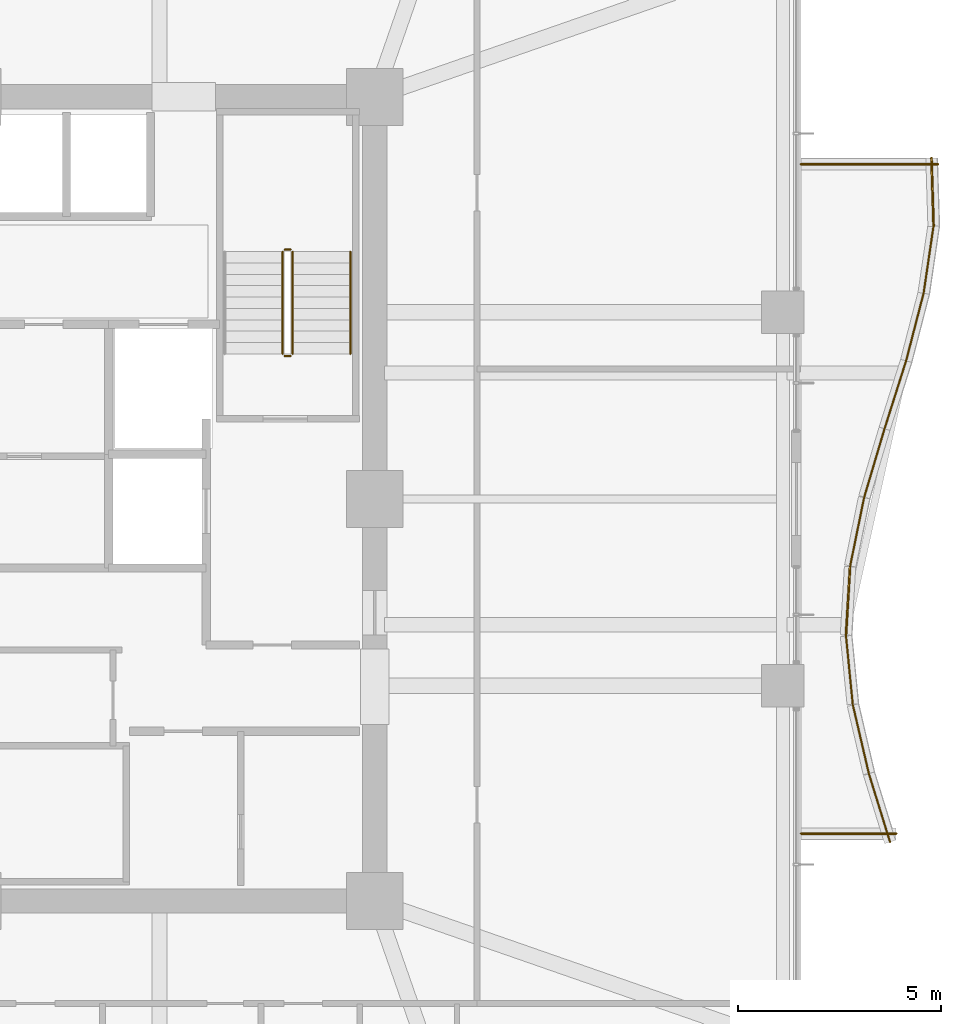
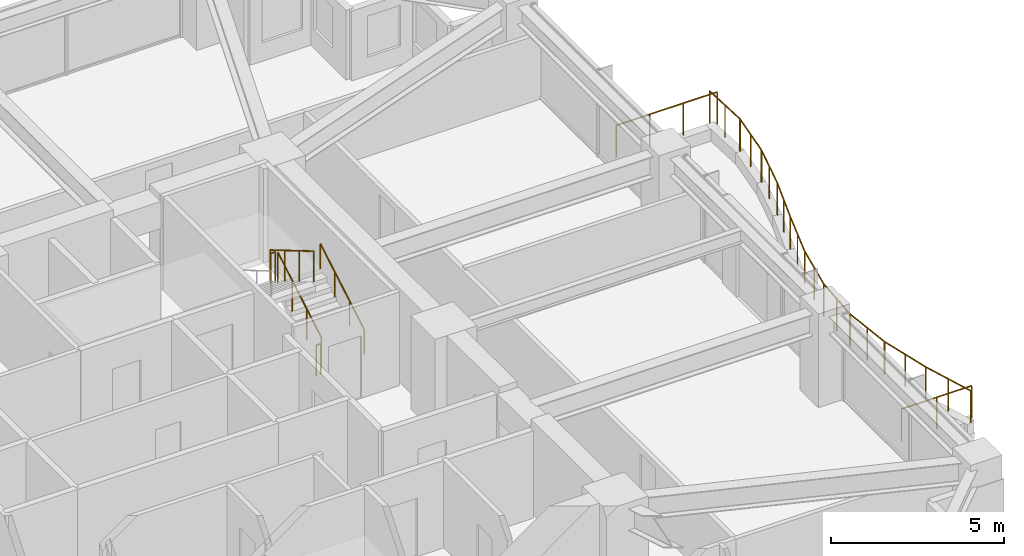
# One storey, part 36 of 36: 17 railings.
"""IFC4 building model written with IfcOpenShell, lengths in metres."""

from ifc_helpers import new_model, si_unit, direction, frame, origin, origin_2d, place, context, subcontext, project, spatial, circle, extrude, material, type_object, element, save


model = new_model("IFC4")

# Units and contexts
model_context = context("Model", 3, precision=1e-05, world=origin(), true_north=direction((0.0, 1.0)))
body_context = subcontext(model_context, "Body", "Model", "MODEL_VIEW")
ifc_project = project(units=[si_unit("LENGTHUNIT", "METRE"), si_unit("AREAUNIT", "SQUARE_METRE"), si_unit("VOLUMEUNIT", "CUBIC_METRE"), si_unit("PLANEANGLEUNIT", "RADIAN"), si_unit("MASSUNIT", "GRAM", prefix="KILO")], contexts=[model_context])

# Site, building, storey
site_placement = place(None, origin())
site = spatial("IfcSite", under=ifc_project, at=site_placement, CompositionType="ELEMENT")
building_placement = place(site_placement, origin())
building = spatial("IfcBuilding", under=site, at=building_placement, Name="Kolvaren Belvedere", CompositionType="ELEMENT")
storey_placement = place(building_placement, frame((0.0, 0.0, 92.0)))
storey = spatial("IfcBuildingStorey", under=building, at=storey_placement, Name="L26", CompositionType="ELEMENT", Elevation=92.0)

# Railings
ifc_material_1 = material(Name="Anodised pale-metal aluminium & laminated glass guard", Category="aluminium")
railing_type_1 = type_object("IfcRailingType", Name="RL-GUARD-1150", PredefinedType="GUARDRAIL", material=ifc_material_1)
railing_1_placement = place(storey_placement, frame((22.587158203125, -8.447265625, 0.3798828125)))
element("IfcRailing", 1, at=railing_1_placement, inside=storey, type_object=railing_type_1, Name="L26 Exterior Deck Safety Guard BAL-E-1", PredefinedType="GUARDRAIL", context=body_context, shape_type="SweptSolid", body=[
    extrude(circle(Radius=0.02392578125, at=origin_2d()), frame((0.0, 0.0, 1.1259765625), z_axis=(-0.295831524561, 0.95524013163, 0.0), x_axis=(-0.95524013163, -0.295831524561, 0.0)), (0.0, 0.0, 1.0), 1.758544921875),
    extrude(circle(Radius=0.02099609375, at=origin_2d()), origin(), (0.0, 0.0, 1.0), 1.101806640625),
    extrude(circle(Radius=0.02099609375, at=origin_2d()), frame((-0.26025390625, 0.83984375, 0.0)), (0.0, 0.0, 1.0), 1.101806640625),
    extrude(circle(Radius=0.02099609375, at=origin_2d()), frame((-0.520263671875, 1.679931640625, 0.0)), (0.0, 0.0, 1.0), 1.101806640625),
])
railing_2_placement = place(storey_placement, frame((22.06396484375, -6.75634765625, 0.3798828125)))
element("IfcRailing", 2, at=railing_2_placement, inside=storey, type_object=railing_type_1, Name="L26 Exterior Deck Safety Guard BAL-E-2", PredefinedType="GUARDRAIL", context=body_context, shape_type="SweptSolid", body=[
    extrude(circle(Radius=0.02392578125, at=origin_2d()), frame((0.0, 0.0, 1.1259765625), z_axis=(-0.227019323824, 0.973890253884, 0.0), x_axis=(-0.973890253884, -0.227019323824, 0.0)), (0.0, 0.0, 1.0), 1.724853515625),
    extrude(circle(Radius=0.02099609375, at=origin_2d()), origin(), (0.0, 0.0, 1.0), 1.101806640625),
    extrude(circle(Radius=0.02099609375, at=origin_2d()), frame((-0.19580078125, 0.83984375, 0.0)), (0.0, 0.0, 1.0), 1.101806640625),
    extrude(circle(Radius=0.02099609375, at=origin_2d()), frame((-0.3916015625, 1.679931640625, 0.0)), (0.0, 0.0, 1.0), 1.101806640625),
])
railing_3_placement = place(storey_placement, frame((21.6689453125, -5.0556640625, 0.3798828125)))
element("IfcRailing", 3, at=railing_3_placement, inside=storey, type_object=railing_type_1, Name="L26 Exterior Deck Safety Guard BAL-E-3", PredefinedType="GUARDRAIL", context=body_context, shape_type="SweptSolid", body=[
    extrude(circle(Radius=0.02392578125, at=origin_2d()), frame((0.0, 0.0, 1.1259765625), z_axis=(-0.098343801694, 0.995152499202, 0.0), x_axis=(-0.995152499202, -0.098343801694, 0.0)), (0.0, 0.0, 1.0), 1.688232421875),
    extrude(circle(Radius=0.02099609375, at=origin_2d()), origin(), (0.0, 0.0, 1.0), 1.101806640625),
    extrude(circle(Radius=0.02099609375, at=origin_2d()), frame((-0.0830078125, 0.83984375, 0.0)), (0.0, 0.0, 1.0), 1.101806640625),
    extrude(circle(Radius=0.02099609375, at=origin_2d()), frame((-0.166015625, 1.679931640625, 0.0)), (0.0, 0.0, 1.0), 1.101806640625),
])
railing_4_placement = place(storey_placement, frame((21.50244140625, -3.350341796875, 0.3798828125)))
element("IfcRailing", 4, at=railing_4_placement, inside=storey, type_object=railing_type_1, Name="L26 Exterior Deck Safety Guard BAL-E-4", PredefinedType="GUARDRAIL", context=body_context, shape_type="SweptSolid", body=[
    extrude(circle(Radius=0.02392578125, at=origin_2d()), frame((0.0, 0.0, 1.1259765625), z_axis=(0.059767979379, 0.998212296378, 0.0), x_axis=(-0.998212296378, 0.059767979379, 0.0)), (0.0, 0.0, 1.0), 1.682861328125),
    extrude(circle(Radius=0.02099609375, at=origin_2d()), origin(), (0.0, 0.0, 1.0), 1.101806640625),
    extrude(circle(Radius=0.02099609375, at=origin_2d()), frame((0.05029296875, 0.83984375, 0.0)), (0.0, 0.0, 1.0), 1.101806640625),
    extrude(circle(Radius=0.02099609375, at=origin_2d()), frame((0.1005859375, 1.679931640625, 0.0)), (0.0, 0.0, 1.0), 1.101806640625),
])
railing_5_placement = place(storey_placement, frame((21.60595703125, -1.64794921875, 0.3798828125)))
element("IfcRailing", 5, at=railing_5_placement, inside=storey, type_object=railing_type_1, Name="L26 Exterior Deck Safety Guard BAL-E-5", PredefinedType="GUARDRAIL", context=body_context, shape_type="SweptSolid", body=[
    extrude(circle(Radius=0.02392578125, at=origin_2d()), frame((0.0, 0.0, 1.1259765625), z_axis=(0.199784246163, 0.979839912937, 0.0), x_axis=(-0.979839912937, 0.199784246163, 0.0)), (0.0, 0.0, 1.0), 1.714599609375),
    extrude(circle(Radius=0.02099609375, at=origin_2d()), origin(), (0.0, 0.0, 1.0), 1.101806640625),
    extrude(circle(Radius=0.02099609375, at=origin_2d()), frame((0.17138671875, 0.83984375, 0.0)), (0.0, 0.0, 1.0), 1.101806640625),
    extrude(circle(Radius=0.02099609375, at=origin_2d()), frame((0.342529296875, 1.679931640625, 0.0)), (0.0, 0.0, 1.0), 1.101806640625),
])
railing_6_placement = place(storey_placement, frame((21.951904296875, 0.045654296875, 0.3798828125)))
element("IfcRailing", 6, at=railing_6_placement, inside=storey, type_object=railing_type_1, Name="L26 Exterior Deck Safety Guard BAL-E-6", PredefinedType="GUARDRAIL", context=body_context, shape_type="SweptSolid", body=[
    extrude(circle(Radius=0.02392578125, at=origin_2d()), frame((0.0, 0.0, 1.1259765625), z_axis=(0.284880325779, 0.95856309129, 0.0), x_axis=(-0.95856309129, 0.284880325779, 0.0)), (0.0, 0.0, 1.0), 1.75244140625),
    extrude(circle(Radius=0.02099609375, at=origin_2d()), origin(), (0.0, 0.0, 1.0), 1.101806640625),
    extrude(circle(Radius=0.02099609375, at=origin_2d()), frame((0.24951171875, 0.83984375, 0.0)), (0.0, 0.0, 1.0), 1.101806640625),
    extrude(circle(Radius=0.02099609375, at=origin_2d()), frame((0.499267578125, 1.679931640625, 0.0)), (0.0, 0.0, 1.0), 1.101806640625),
])
railing_7_placement = place(storey_placement, frame((22.4521484375, 1.728515625, 0.3798828125)))
element("IfcRailing", 7, at=railing_7_placement, inside=storey, type_object=railing_type_1, Name="L26 Exterior Deck Safety Guard BAL-E-7", PredefinedType="GUARDRAIL", context=body_context, shape_type="SweptSolid", body=[
    extrude(circle(Radius=0.02392578125, at=origin_2d()), frame((0.0, 0.0, 1.1259765625), z_axis=(0.302397356111, 0.953181954832, 0.0), x_axis=(-0.953181954832, 0.302397356111, 0.0)), (0.0, 0.0, 1.0), 1.762451171875),
    extrude(circle(Radius=0.02099609375, at=origin_2d()), origin(), (0.0, 0.0, 1.0), 1.101806640625),
    extrude(circle(Radius=0.02099609375, at=origin_2d()), frame((0.2666015625, 0.83984375, 0.0)), (0.0, 0.0, 1.0), 1.101806640625),
    extrude(circle(Radius=0.02099609375, at=origin_2d()), frame((0.532958984375, 1.679931640625, 0.0)), (0.0, 0.0, 1.0), 1.101806640625),
])
railing_8_placement = place(storey_placement, frame((22.982666015625, 3.400146484375, 0.3798828125)))
element("IfcRailing", 8, at=railing_8_placement, inside=storey, type_object=railing_type_1, Name="L26 Exterior Deck Safety Guard BAL-E-8", PredefinedType="GUARDRAIL", context=body_context, shape_type="SweptSolid", body=[
    extrude(circle(Radius=0.02392578125, at=origin_2d()), frame((0.0, 0.0, 1.1259765625), z_axis=(0.250439664624, 0.968132209145, 0.0), x_axis=(-0.968132209145, 0.250439664624, 0.0)), (0.0, 0.0, 1.0), 1.7353515625),
    extrude(circle(Radius=0.02099609375, at=origin_2d()), origin(), (0.0, 0.0, 1.0), 1.101806640625),
    extrude(circle(Radius=0.02099609375, at=origin_2d()), frame((0.21728515625, 0.83984375, 0.0)), (0.0, 0.0, 1.0), 1.101806640625),
    extrude(circle(Radius=0.02099609375, at=origin_2d()), frame((0.4345703125, 1.679931640625, 0.0)), (0.0, 0.0, 1.0), 1.101806640625),
])
railing_9_placement = place(storey_placement, frame((23.413818359375, 5.063232421875, 0.3798828125)))
element("IfcRailing", 9, at=railing_9_placement, inside=storey, type_object=railing_type_1, Name="L26 Exterior Deck Safety Guard BAL-E-9", PredefinedType="GUARDRAIL", context=body_context, shape_type="SweptSolid", body=[
    extrude(circle(Radius=0.02392578125, at=origin_2d()), frame((0.0, 0.0, 1.1259765625), z_axis=(0.145907826437, 0.98929818871, 0.0), x_axis=(-0.98929818871, 0.145907826437, 0.0)), (0.0, 0.0, 1.0), 1.6982421875),
    extrude(circle(Radius=0.02099609375, at=origin_2d()), origin(), (0.0, 0.0, 1.0), 1.101806640625),
    extrude(circle(Radius=0.02099609375, at=origin_2d()), frame((0.1240234375, 0.840087890625, 0.0)), (0.0, 0.0, 1.0), 1.101806640625),
    extrude(circle(Radius=0.02099609375, at=origin_2d()), frame((0.247802734375, 1.68017578125, 0.0)), (0.0, 0.0, 1.0), 1.101806640625),
])
railing_10_placement = place(storey_placement, frame((23.66015625, 6.715087890625, 0.3798828125)))
element("IfcRailing", 10, at=railing_10_placement, inside=storey, type_object=railing_type_1, Name="L26 Exterior Deck Safety Guard BAL-E-10", PredefinedType="GUARDRAIL", context=body_context, shape_type="SweptSolid", body=[
    extrude(circle(Radius=0.02392578125, at=origin_2d()), frame((0.0, 0.0, 1.1259765625), z_axis=(-0.031520443874, 0.999503107358, 0.0), x_axis=(-0.999503107358, -0.031520443874, 0.0)), (0.0, 0.0, 1.0), 1.6806640625),
    extrude(circle(Radius=0.02099609375, at=origin_2d()), origin(), (0.0, 0.0, 1.0), 1.101806640625),
    extrude(circle(Radius=0.02099609375, at=origin_2d()), frame((-0.0263671875, 0.83984375, 0.0)), (0.0, 0.0, 1.0), 1.101806640625),
    extrude(circle(Radius=0.02099609375, at=origin_2d()), frame((-0.052978515625, 1.679931640625, 0.0)), (0.0, 0.0, 1.0), 1.101806640625),
])
railing_11_placement = place(storey_placement, frame((23.76708984375, 8.239990234375, 0.3798828125)))
element("IfcRailing", 11, at=railing_11_placement, inside=storey, type_object=railing_type_1, Name="L26 Exterior Deck Safety Guard BAL-E-11", PredefinedType="GUARDRAIL", context=body_context, shape_type="SweptSolid", body=[
    extrude(circle(Radius=0.02392578125, at=origin_2d()), frame((0.0, 0.0, 1.1259765625), z_axis=(-1.0, 0.0, 0.0), x_axis=(0.0, -1.0, 0.0)), (0.0, 0.0, 1.0), 3.3671875),
    extrude(circle(Radius=0.02099609375, at=origin_2d()), origin(), (0.0, 0.0, 1.0), 1.101806640625),
    extrude(circle(Radius=0.02099609375, at=origin_2d()), frame((-1.122314453125, 0.0, 0.0)), (0.0, 0.0, 1.0), 1.101806640625),
    extrude(circle(Radius=0.02099609375, at=origin_2d()), frame((-2.244873046875, 0.0, 0.0)), (0.0, 0.0, 1.0), 1.101806640625),
    extrude(circle(Radius=0.02099609375, at=origin_2d()), frame((-3.3671875, 0.0, 0.0)), (0.0, 0.0, 1.0), 1.101806640625),
])
railing_12_placement = place(storey_placement, frame((20.39990234375, -8.239990234375, 0.3798828125)))
element("IfcRailing", 12, at=railing_12_placement, inside=storey, type_object=railing_type_1, Name="L26 Exterior Deck Safety Guard BAL-E-22", PredefinedType="GUARDRAIL", context=body_context, shape_type="SweptSolid", body=[
    extrude(circle(Radius=0.02392578125, at=origin_2d()), frame((0.0, 0.0, 1.1259765625), z_axis=(1.0, 0.0, 0.0), x_axis=(0.0, 1.0, 0.0)), (0.0, 0.0, 1.0), 2.340087890625),
    extrude(circle(Radius=0.02099609375, at=origin_2d()), origin(), (0.0, 0.0, 1.0), 1.101806640625),
    extrude(circle(Radius=0.02099609375, at=origin_2d()), frame((1.169921875, 0.0, 0.0)), (0.0, 0.0, 1.0), 1.101806640625),
    extrude(circle(Radius=0.02099609375, at=origin_2d()), frame((2.340087890625, 0.0, 0.0)), (0.0, 0.0, 1.0), 1.101806640625),
])
ifc_material_2 = material(Name="Brushed stainless-steel handrail", Category="steel")
railing_type_2 = type_object("IfcRailingType", Name="RL-HANDRAIL-920", PredefinedType="HANDRAIL", material=ifc_material_2)
railing_13_placement = place(storey_placement, frame((9.300048828125, 3.570068359375, 0.1650390625)))
element("IfcRailing", 13, at=railing_13_placement, inside=storey, type_object=railing_type_2, Name="L26 ST-2 stair handrail 1", PredefinedType="HANDRAIL", context=body_context, shape_type="SweptSolid", body=[
    extrude(circle(Radius=0.02392578125, at=origin_2d()), frame((0.0, 0.0, 0.8759765625), z_axis=(0.0, 0.861560626758, 0.507654692109), x_axis=(-1.0, 0.0, 0.0)), (0.0, 0.0, 1.0), 2.925048828125),
    extrude(circle(Radius=0.02099609375, at=origin_2d()), origin(), (0.0, 0.0, 1.0), 0.851806640625),
    extrude(circle(Radius=0.02099609375, at=origin_2d()), frame((0.0, 0.840087890625, 0.494873046875)), (0.0, 0.0, 1.0), 0.851806640625),
    extrude(circle(Radius=0.02099609375, at=origin_2d()), frame((0.0, 1.679931640625, 0.989990234375)), (0.0, 0.0, 1.0), 0.851806640625),
    extrude(circle(Radius=0.02099609375, at=origin_2d()), frame((0.0, 2.52001953125, 1.48486328125)), (0.0, 0.0, 1.0), 0.851806640625),
])
ifc_material_3 = material(Name="Painted tubular steel stair guard", Category="steel")
railing_type_3 = type_object("IfcRailingType", Name="RL-STGUARD-1100", PredefinedType="GUARDRAIL", material=ifc_material_3)
railing_14_placement = place(storey_placement, frame((7.8798828125, 3.570068359375, 0.1650390625)))
element("IfcRailing", 14, at=railing_14_placement, inside=storey, type_object=railing_type_3, Name="L26 ST-2 stair guard 1", PredefinedType="GUARDRAIL", context=body_context, shape_type="SweptSolid", body=[
    extrude(circle(Radius=0.02392578125, at=origin_2d()), frame((0.0, 0.0, 1.076171875), z_axis=(0.0, 0.861560626758, 0.507654692109), x_axis=(-1.0, 0.0, 0.0)), (0.0, 0.0, 1.0), 2.925048828125),
    extrude(circle(Radius=0.02099609375, at=origin_2d()), origin(), (0.0, 0.0, 1.0), 1.052001953125),
    extrude(circle(Radius=0.02099609375, at=origin_2d()), frame((0.0, 0.840087890625, 0.494873046875)), (0.0, 0.0, 1.0), 1.052001953125),
    extrude(circle(Radius=0.02099609375, at=origin_2d()), frame((0.0, 1.679931640625, 0.989990234375)), (0.0, 0.0, 1.0), 1.052001953125),
    extrude(circle(Radius=0.02099609375, at=origin_2d()), frame((0.0, 2.52001953125, 1.48486328125)), (0.0, 0.0, 1.0), 1.052001953125),
])
railing_15_placement = place(storey_placement, frame((7.830078125, 6.139892578125, 1.64990234375)))
element("IfcRailing", 15, at=railing_15_placement, inside=storey, type_object=railing_type_3, Name="L26 ST-2 stair guard 2", PredefinedType="GUARDRAIL", context=body_context, shape_type="SweptSolid", body=[
    extrude(circle(Radius=0.02392578125, at=origin_2d()), frame((0.0, 0.0, 1.076171875), z_axis=(-1.0, 0.0, 0.0), x_axis=(0.0, -1.0, 0.0)), (0.0, 0.0, 1.0), 0.150146484375),
    extrude(circle(Radius=0.02099609375, at=origin_2d()), origin(), (0.0, 0.0, 1.0), 1.052001953125),
    extrude(circle(Radius=0.02099609375, at=origin_2d()), frame((-0.150146484375, 0.0, 0.0)), (0.0, 0.0, 1.0), 1.052001953125),
])
railing_16_placement = place(storey_placement, frame((7.6298828125, 6.090087890625, 1.81494140625)))
element("IfcRailing", 16, at=railing_16_placement, inside=storey, type_object=railing_type_3, Name="L26 ST-2 stair guard 3", PredefinedType="GUARDRAIL", context=body_context, shape_type="SweptSolid", body=[
    extrude(circle(Radius=0.02392578125, at=origin_2d()), frame((0.0, 0.0, 1.076171875), z_axis=(0.0, -0.86152411907, 0.507716645641), x_axis=(1.0, 0.0, 0.0)), (0.0, 0.0, 1.0), 2.925048828125),
    extrude(circle(Radius=0.02099609375, at=origin_2d()), origin(), (0.0, 0.0, 1.0), 1.052001953125),
    extrude(circle(Radius=0.02099609375, at=origin_2d()), frame((0.0, -0.840087890625, 0.4951171875)), (0.0, 0.0, 1.0), 1.052001953125),
    extrude(circle(Radius=0.02099609375, at=origin_2d()), frame((0.0, -1.679931640625, 0.989990234375)), (0.0, 0.0, 1.0), 1.052001953125),
    extrude(circle(Radius=0.02099609375, at=origin_2d()), frame((0.0, -2.52001953125, 1.485107421875)), (0.0, 0.0, 1.0), 1.052001953125),
])
railing_17_placement = place(storey_placement, frame((7.830078125, 3.52001953125, 0.0)))
element("IfcRailing", 17, at=railing_17_placement, inside=storey, type_object=railing_type_3, Name="L26 ST-2 stair guard 4", PredefinedType="GUARDRAIL", context=body_context, shape_type="SweptSolid", body=[
    extrude(circle(Radius=0.02392578125, at=origin_2d()), frame((0.0, 0.0, 1.076171875), z_axis=(-1.0, 0.0, 0.0), x_axis=(0.0, -1.0, 0.0)), (0.0, 0.0, 1.0), 0.150146484375),
    extrude(circle(Radius=0.02099609375, at=origin_2d()), origin(), (0.0, 0.0, 1.0), 1.052001953125),
    extrude(circle(Radius=0.02099609375, at=origin_2d()), frame((-0.150146484375, 0.0, 0.0)), (0.0, 0.0, 1.0), 1.052001953125),
])

save(model, "model.ifc")
